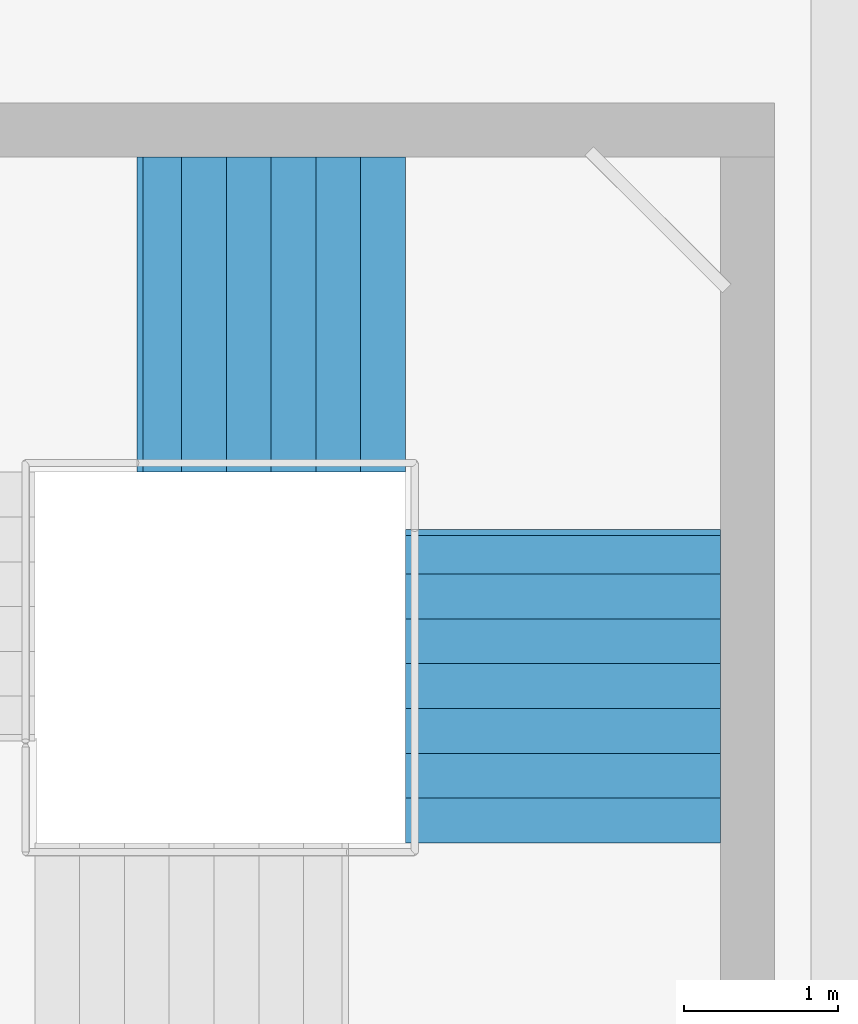
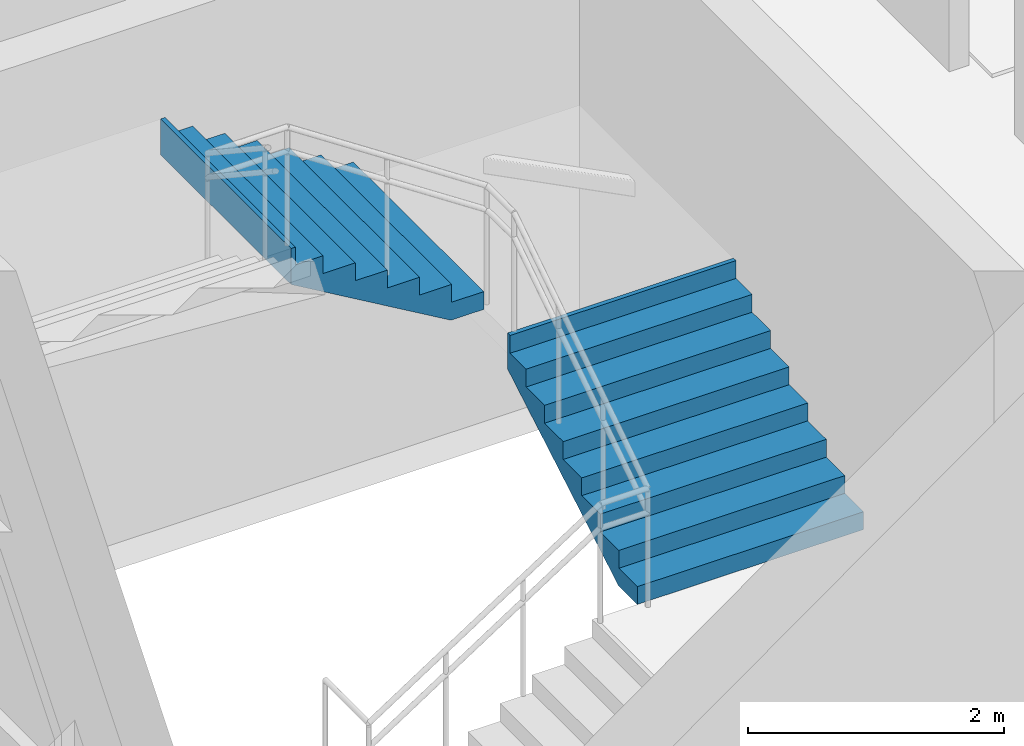
# One storey, part 56 of 66: 2 stair flights, 1 element without a shape of its own.
"""IFC4 building model written with IfcOpenShell, lengths in metres."""

import ifcopenshell
import ifcopenshell.guid

model = None  # the IFC model being written
_history = None  # IfcOwnerHistory: only IFC2X3 demands one
_inside = {}  # id of a spatial element -> (the spatial element, [elements in it])
_under = {}  # id of a project, library or spatial element -> (it, [spatial elements below it])
_declared = {}  # id of a project -> (the project, [libraries it declares])
_typed = {}  # id of a type object -> (the type object, [elements of that type])
_made_of = {}  # id of a material, layer set ... -> (it, [elements and type objects made of it])


def new_model(schema):
    """Start an empty IFC model of exactly this schema.

    Asked for "IFC4X3", IfcOpenShell would pick the latest addendum, in which some entities
    have other attributes; the version numbers below select the first issue.
    IFC2X3 requires an IfcOwnerHistory on every rooted entity: one is made here for all.
    """
    global model, _history
    if schema == "IFC4X3":
        model = ifcopenshell.file(schema_version=(4, 3, 0, 0))
    else:
        model = ifcopenshell.file(schema=schema)
    _inside.clear()
    _under.clear()
    _declared.clear()
    _typed.clear()
    _made_of.clear()
    _history = None
    if model.schema == "IFC2X3":
        org = make("IfcOrganization", Name="unknown")
        user = make(
            "IfcPersonAndOrganization",
            ThePerson=make("IfcPerson", FamilyName="unknown"),
            TheOrganization=org,
        )
        app = make(
            "IfcApplication",
            ApplicationDeveloper=org,
            Version="unknown",
            ApplicationFullName="unknown",
            ApplicationIdentifier="unknown",
        )
        _history = make(
            "IfcOwnerHistory",
            OwningUser=user,
            OwningApplication=app,
            ChangeAction="ADDED",
            CreationDate=0,
        )
    return model


def make(cls, **values):
    """One entity of the class cls with the attributes given. An attribute that is None is left unset."""
    return model.create_entity(
        cls, **{name: value for name, value in values.items() if value is not None}
    )


def rooted(cls, **values):
    """An entity with a GlobalId (a new one), such as an element, a storey or a relation."""
    return make(cls, GlobalId=ifcopenshell.guid.new(), OwnerHistory=_history, **values)


def si_unit(unit_type, name, prefix=None):
    """IfcSIUnit, for example si_unit("LENGTHUNIT", "METRE", prefix="MILLI")."""
    return make("IfcSIUnit", UnitType=unit_type, Prefix=prefix, Name=name)


def assignment(units):
    """IfcUnitAssignment: the units of a project."""
    return None if units is None else make("IfcUnitAssignment", Units=units)


def point(xyz):
    """IfcCartesianPoint."""
    return None if xyz is None else make("IfcCartesianPoint", Coordinates=xyz)


def direction(xyz):
    """IfcDirection."""
    return None if xyz is None else make("IfcDirection", DirectionRatios=xyz)


def frame(location, z_axis=None, x_axis=None):
    """IfcAxis2Placement3D, a coordinate frame: its origin and axes. An axis left out is left unset."""
    return make(
        "IfcAxis2Placement3D",
        Location=point(location),
        Axis=direction(z_axis),
        RefDirection=direction(x_axis),
    )


def origin():
    """The frame at (0, 0, 0) with its axes left unset."""
    return frame((0.0, 0.0, 0.0))


def place(relative_to, where):
    """IfcLocalPlacement: puts the frame where relative to a parent placement (None: the world)."""
    return make(
        "IfcLocalPlacement", PlacementRelTo=relative_to, RelativePlacement=where
    )


def context(
    kind, dimensions, precision=None, world=None, true_north=None, identifier=None
):
    """IfcGeometricRepresentationContext, for example the 3D "Model" context."""
    return make(
        "IfcGeometricRepresentationContext",
        ContextIdentifier=identifier,
        ContextType=kind,
        CoordinateSpaceDimension=dimensions,
        Precision=precision,
        WorldCoordinateSystem=world,
        TrueNorth=true_north,
    )


def subcontext(parent, identifier, kind, view, scale=None):
    """IfcGeometricRepresentationSubContext, for example "Body" below "Model"."""
    return make(
        "IfcGeometricRepresentationSubContext",
        ContextIdentifier=identifier,
        ContextType=kind,
        ParentContext=parent,
        TargetScale=scale,
        TargetView=view,
    )


def project(units=None, contexts=None):
    """IfcProject with its units and contexts."""
    return rooted(
        "IfcProject",
        Name="project",
        RepresentationContexts=contexts,
        UnitsInContext=assignment(units),
    )


def spatial(cls, under=None, at=None, **own):
    """A site, building, storey or space (cls), placed at a placement, below another one or the project."""
    s = rooted(cls, ObjectPlacement=at, **own)
    if under is not None:
        _under.setdefault(under.id(), (under, []))[1].append(s)
    return s


def point_list(points):
    """IfcCartesianPointList2D or 3D."""
    cls = (
        "IfcCartesianPointList2D" if len(points[0]) == 2 else "IfcCartesianPointList3D"
    )
    return make(cls, CoordList=points)


def triangles(points, corners, closed=None, point_numbers=None):
    """IfcTriangulatedFaceSet: each triangle names its three corners, points numbered from 1."""
    return make(
        "IfcTriangulatedFaceSet",
        Coordinates=point_list(points),
        Closed=closed,
        CoordIndex=corners,
        PnIndex=point_numbers,
    )


def shape(context_of_items, identifier, shape_type, items):
    """IfcShapeRepresentation: the items that make up one representation, for example the "Body"."""
    return make(
        "IfcShapeRepresentation",
        ContextOfItems=context_of_items,
        RepresentationIdentifier=identifier,
        RepresentationType=shape_type,
        Items=items,
    )


def material(Name=None, Category=None):
    """IfcMaterial."""
    return make("IfcMaterial", Name=Name, Category=Category)


def made_of(thing, what):
    """Note that an element or type object is made of a material, layer set ...; save() writes the relation."""
    if what is not None:
        _made_of.setdefault(what.id(), (what, []))[1].append(thing)
    return thing


def type_object(cls, material=None, **own):
    """A type object (cls), such as IfcWallType, which elements share."""
    return made_of(rooted(cls, **own), material)


def element(
    cls,
    number,
    at=None,
    inside=None,
    cuts=None,
    type_object=None,
    material=None,
    context=None,
    identifier="Body",
    shape_type=None,
    held_by="IfcProductDefinitionShape",
    body=None,
    shapes=None,
    **own,
):
    """One element of the class cls, such as IfcWall. Its Tag is "e" and its number.

    at: its placement. inside: the storey or other place that contains it. cuts: it is an
    opening in that element (IfcRelVoidsElement). A single representation is given by context,
    identifier, shape_type and body (its items); several are given by shapes. held_by: the class
    of the entity that holds the representations. save() writes the other relations.
    """
    e = rooted(cls, Tag="e%d" % number, ObjectPlacement=at, **own)
    if body is not None:
        shapes = [shape(context, identifier, shape_type, body)]
    if shapes is not None:
        e.Representation = make(held_by, Representations=shapes)
    if inside is not None:
        _inside.setdefault(inside.id(), (inside, []))[1].append(e)
    if cuts is not None:
        rooted(
            "IfcRelVoidsElement", RelatingBuildingElement=cuts, RelatedOpeningElement=e
        )
    if type_object is not None:
        _typed.setdefault(type_object.id(), (type_object, []))[1].append(e)
    return made_of(e, material)


def aggregate(whole, parts):
    """IfcRelAggregates: a whole, such as a stair, and the parts it consists of."""
    return rooted("IfcRelAggregates", RelatingObject=whole, RelatedObjects=parts)


def save(model, path):
    """Write the relations noted so far, then the file.

    IfcRelAggregates (storeys below a building ...), IfcRelContainedInSpatialStructure (elements
    in a storey), IfcRelDefinesByType, IfcRelAssociatesMaterial and IfcRelDeclares: one each for
    every whole, place, type object, material and project.
    """
    for whole, parts in _under.values():
        aggregate(whole, parts)
    for where, things in _inside.values():
        rooted(
            "IfcRelContainedInSpatialStructure",
            RelatedElements=things,
            RelatingStructure=where,
        )
    for kind, things in _typed.values():
        rooted("IfcRelDefinesByType", RelatedObjects=things, RelatingType=kind)
    for what, things in _made_of.values():
        rooted("IfcRelAssociatesMaterial", RelatedObjects=things, RelatingMaterial=what)
    for by, libraries in _declared.values():
        rooted("IfcRelDeclares", RelatingContext=by, RelatedDefinitions=libraries)
    model.write(path)


model = new_model("IFC4")

# Units and contexts
model_context = context("Model", 3, precision=1e-05, world=origin(), true_north=direction((0.0, 1.0)))
body_context = subcontext(model_context, "Body", "Model", "MODEL_VIEW")
ifc_project = project(units=[si_unit("LENGTHUNIT", "METRE"), si_unit("AREAUNIT", "SQUARE_METRE"), si_unit("VOLUMEUNIT", "CUBIC_METRE"), si_unit("PLANEANGLEUNIT", "RADIAN"), si_unit("MASSUNIT", "GRAM", prefix="KILO")], contexts=[model_context])

# Site, building, storey
site_placement = place(None, origin())
site = spatial("IfcSite", under=ifc_project, at=site_placement, CompositionType="ELEMENT")
building_placement = place(site_placement, origin())
building = spatial("IfcBuilding", under=site, at=building_placement, Name="Sillaruma Civic Art Gallery", CompositionType="ELEMENT")
storey_placement = place(building_placement, frame((0.0, 0.0, 57.1201171875)))
storey = spatial("IfcBuildingStorey", under=building, at=storey_placement, Name="L11", CompositionType="ELEMENT", Elevation=57.1201171875)

# Stair, stair flights
ifc_material = material(Name="Concrete H35 (35 MPa)", Category="concrete")
stair_type = type_object("IfcStairType", Name="STR-4F-30", PredefinedType="USERDEFINED", material=ifc_material)
stair_placement = place(storey_placement, origin())
stair = element("IfcStair", 1, at=stair_placement, inside=storey, type_object=stair_type, Name="Protected Exit Stair ST-03 (West Bar South) (L11)", ObjectType="THREE_RETURN_STAIR", PredefinedType="USERDEFINED")
stair_flight_type_1 = type_object("IfcStairFlightType", Name="SFL-STR-7", PredefinedType="STRAIGHT", material=ifc_material)
stair_flight_1_placement = place(storey_placement, frame((67.199951171875, 36.8701171875, 2.719970703125), z_axis=(0.0, 0.0, 1.0), x_axis=(-1.0, 0.0, 0.0)))
stair_flight_1 = element("IfcStairFlight", 2, at=stair_flight_1_placement, type_object=stair_flight_type_1, Name="ST-03 flight 3", NumberOfRisers=7, NumberOfTreads=6, PredefinedType="STRAIGHT", RiserHeight=0.17, TreadLength=0.29, context=body_context, shape_type="Tessellation", body=[
    triangles([(0.0, -1.02001953125, 0.0), (0.29, -1.02001953125, 0.0), (0.296404, -1.02001953125, 0.0), (0.58, -1.02001953125, 0.166246), (0.87, -1.02001953125, 0.336246), (1.16, -1.02001953125, 0.506246), (1.45, -1.02001953125, 0.676246), (1.69999, -1.02001953125, 0.822792), (1.73999, -1.02001953125, 0.84624), (1.73999, -1.02001953125, 1.19), (1.69999, -1.02001953125, 1.19), (1.69999, -1.02001953125, 1.02), (1.45, -1.02001953125, 1.02), (1.45, -1.02001953125, 0.85), (1.16, -1.02001953125, 0.85), (1.16, -1.02001953125, 0.68), (0.87, -1.02001953125, 0.68), (0.87, -1.02001953125, 0.51), (0.58, -1.02001953125, 0.51), (0.58, -1.02001953125, 0.34), (0.296404, -1.02001953125, 0.34), (0.29, -1.02001953125, 0.34), (0.29, -1.02001953125, 0.17), (0.0, -1.02001953125, 0.17), (0.0, -0.05, 0.0), (0.29, -0.05, 0.0), (0.296404, -0.05, 0.0), (0.58, -0.05, 0.166246), (0.87, -0.05, 0.336246), (1.16, -0.05, 0.506246), (1.45, -0.05, 0.676246), (1.69999, -0.05, 0.822792), (1.73999, -0.05, 0.84624), (1.73999, -0.05, 1.19), (1.69999, -0.05, 1.19), (1.69999, -0.05, 1.02), (1.45, -0.05, 1.02), (1.45, -0.05, 0.85), (1.16, -0.05, 0.85), (1.16, -0.05, 0.68), (0.87, -0.05, 0.68), (0.87, -0.05, 0.51), (0.58, -0.05, 0.51), (0.58, -0.05, 0.34), (0.296404, -0.05, 0.34), (0.29, -0.05, 0.34), (0.29, -0.05, 0.17), (0.0, -0.05, 0.17), (0.0, -0.0375, 0.0), (0.29, -0.0375, 0.0), (0.296404, -0.0375, 0.0), (0.58, -0.0375, 0.166246), (0.87, -0.0375, 0.336246), (1.16, -0.0375, 0.506246), (1.45, -0.0375, 0.676246), (1.69999, -0.0375, 0.822792), (1.73999, -0.0375, 0.84624), (1.73999, -0.0375, 1.19), (1.69999, -0.0375, 1.19), (1.69999, -0.0375, 1.02), (1.45, -0.0375, 1.02), (1.45, -0.0375, 0.85), (1.16, -0.0375, 0.85), (1.16, -0.0375, 0.68), (0.87, -0.0375, 0.68), (0.87, -0.0375, 0.51), (0.58, -0.0375, 0.51), (0.58, -0.0375, 0.34), (0.296404, -0.0375, 0.34), (0.29, -0.0375, 0.34), (0.29, -0.0375, 0.17), (0.0, -0.0375, 0.17), (0.0, -0.025, 0.0), (0.29, -0.025, 0.0), (0.296404, -0.025, 0.0), (0.58, -0.025, 0.166246), (0.87, -0.025, 0.336246), (1.16, -0.025, 0.506246), (1.45, -0.025, 0.676246), (1.69999, -0.025, 0.822792), (1.73999, -0.025, 0.84624), (1.73999, -0.025, 1.19), (1.69999, -0.025, 1.19), (1.69999, -0.025, 1.02), (1.45, -0.025, 1.02), (1.45, -0.025, 0.85), (1.16, -0.025, 0.85), (1.16, -0.025, 0.68), (0.87, -0.025, 0.68), (0.87, -0.025, 0.51), (0.58, -0.025, 0.51), (0.58, -0.025, 0.34), (0.296404, -0.025, 0.34), (0.29, -0.025, 0.34), (0.29, -0.025, 0.17), (0.0, -0.025, 0.17), (0.0, -0.0125, 0.0), (0.29, -0.0125, 0.0), (0.296404, -0.0125, 0.0), (0.58, -0.0125, 0.166246), (0.87, -0.0125, 0.336246), (1.16, -0.0125, 0.506246), (1.45, -0.0125, 0.676246), (1.69999, -0.0125, 0.822792), (1.73999, -0.0125, 0.84624), (1.73999, -0.0125, 1.19), (1.69999, -0.0125, 1.19), (1.69999, -0.0125, 1.02), (1.45, -0.0125, 1.02), (1.45, -0.0125, 0.85), (1.16, -0.0125, 0.85), (1.16, -0.0125, 0.68), (0.87, -0.0125, 0.68), (0.87, -0.0125, 0.51), (0.58, -0.0125, 0.51), (0.58, -0.0125, 0.34), (0.296404, -0.0125, 0.34), (0.29, -0.0125, 0.34), (0.29, -0.0125, 0.17), (0.0, -0.0125, 0.17), (0.0, 0.0, 0.0), (0.29, 0.0, 0.0), (0.296404, 0.0, 0.0), (0.58, 0.0, 0.166246), (0.87, 0.0, 0.336246), (1.16, 0.0, 0.506246), (1.45, 0.0, 0.676246), (1.69999, 0.0, 0.822792), (1.73999, 0.0, 0.84624), (1.73999, 0.0, 1.19), (1.69999, 0.0, 1.19), (1.69999, 0.0, 1.02), (1.45, 0.0, 1.02), (1.45, 0.0, 0.85), (1.16, 0.0, 0.85), (1.16, 0.0, 0.68), (0.87, 0.0, 0.68), (0.87, 0.0, 0.51), (0.58, 0.0, 0.51), (0.58, 0.0, 0.34), (0.296404, 0.0, 0.34), (0.29, 0.0, 0.34), (0.29, 0.0, 0.17), (0.0, 0.0, 0.17), (0.0, 0.0125, 0.0), (0.29, 0.0125, 0.0), (0.296404, 0.0125, 0.0), (0.58, 0.0125, 0.166246), (0.87, 0.0125, 0.336246), (1.16, 0.0125, 0.506246), (1.45, 0.0125, 0.676246), (1.69999, 0.0125, 0.822792), (1.73999, 0.0125, 0.84624), (1.73999, 0.0125, 1.19), (1.69999, 0.0125, 1.19), (1.69999, 0.0125, 1.02), (1.45, 0.0125, 1.02), (1.45, 0.0125, 0.85), (1.16, 0.0125, 0.85), (1.16, 0.0125, 0.68), (0.87, 0.0125, 0.68), (0.87, 0.0125, 0.51), (0.58, 0.0125, 0.51), (0.58, 0.0125, 0.34), (0.296404, 0.0125, 0.34), (0.29, 0.0125, 0.34), (0.29, 0.0125, 0.17), (0.0, 0.0125, 0.17), (0.0, 0.025, 0.0), (0.29, 0.025, 0.0), (0.296404, 0.025, 0.0), (0.58, 0.025, 0.166246), (0.87, 0.025, 0.336246), (1.16, 0.025, 0.506246), (1.45, 0.025, 0.676246), (1.69999, 0.025, 0.822792), (1.73999, 0.025, 0.84624), (1.73999, 0.025, 1.19), (1.69999, 0.025, 1.19), (1.69999, 0.025, 1.02), (1.45, 0.025, 1.02), (1.45, 0.025, 0.85), (1.16, 0.025, 0.85), (1.16, 0.025, 0.68), (0.87, 0.025, 0.68), (0.87, 0.025, 0.51), (0.58, 0.025, 0.51), (0.58, 0.025, 0.34), (0.296404, 0.025, 0.34), (0.29, 0.025, 0.34), (0.29, 0.025, 0.17), (0.0, 0.025, 0.17), (0.0, 0.0375, 0.0), (0.29, 0.0375, 0.0), (0.296404, 0.0375, 0.0), (0.58, 0.0375, 0.166246), (0.87, 0.0375, 0.336246), (1.16, 0.0375, 0.506246), (1.45, 0.0375, 0.676246), (1.69999, 0.0375, 0.822792), (1.73999, 0.0375, 0.84624), (1.73999, 0.0375, 1.19), (1.69999, 0.0375, 1.19), (1.69999, 0.0375, 1.02), (1.45, 0.0375, 1.02), (1.45, 0.0375, 0.85), (1.16, 0.0375, 0.85), (1.16, 0.0375, 0.68), (0.87, 0.0375, 0.68), (0.87, 0.0375, 0.51), (0.58, 0.0375, 0.51), (0.58, 0.0375, 0.34), (0.296404, 0.0375, 0.34), (0.29, 0.0375, 0.34), (0.29, 0.0375, 0.17), (0.0, 0.0375, 0.17), (0.0, 0.05, 0.0), (0.29, 0.05, 0.0), (0.296404, 0.05, 0.0), (0.58, 0.05, 0.166246), (0.87, 0.05, 0.336246), (1.16, 0.05, 0.506246), (1.45, 0.05, 0.676246), (1.69999, 0.05, 0.822792), (1.73999, 0.05, 0.84624), (1.73999, 0.05, 1.19), (1.69999, 0.05, 1.19), (1.69999, 0.05, 1.02), (1.45, 0.05, 1.02), (1.45, 0.05, 0.85), (1.16, 0.05, 0.85), (1.16, 0.05, 0.68), (0.87, 0.05, 0.68), (0.87, 0.05, 0.51), (0.58, 0.05, 0.51), (0.58, 0.05, 0.34), (0.296404, 0.05, 0.34), (0.29, 0.05, 0.34), (0.29, 0.05, 0.17), (0.0, 0.05, 0.17), (0.0, 1.02001953125, 0.0), (0.29, 1.02001953125, 0.0), (0.296404, 1.02001953125, 0.0), (0.58, 1.02001953125, 0.166246), (0.87, 1.02001953125, 0.336246), (1.16, 1.02001953125, 0.506246), (1.45, 1.02001953125, 0.676246), (1.69999, 1.02001953125, 0.822792), (1.73999, 1.02001953125, 0.84624), (1.73999, 1.02001953125, 1.19), (1.69999, 1.02001953125, 1.19), (1.69999, 1.02001953125, 1.02), (1.45, 1.02001953125, 1.02), (1.45, 1.02001953125, 0.85), (1.16, 1.02001953125, 0.85), (1.16, 1.02001953125, 0.68), (0.87, 1.02001953125, 0.68), (0.87, 1.02001953125, 0.51), (0.58, 1.02001953125, 0.51), (0.58, 1.02001953125, 0.34), (0.296404, 1.02001953125, 0.34), (0.29, 1.02001953125, 0.34), (0.29, 1.02001953125, 0.17), (0.0, 1.02001953125, 0.17)], [[1, 2, 23], [1, 23, 24], [2, 3, 21], [2, 21, 23], [23, 21, 22], [3, 4, 20], [3, 20, 21], [4, 5, 18], [4, 18, 20], [20, 18, 19], [5, 6, 16], [5, 16, 18], [18, 16, 17], [6, 7, 14], [6, 14, 16], [16, 14, 15], [7, 8, 12], [7, 12, 14], [14, 12, 13], [8, 9, 10], [8, 10, 12], [12, 10, 11], [263, 242, 241], [264, 263, 241], [261, 243, 242], [263, 261, 242], [262, 261, 263], [260, 244, 243], [261, 260, 243], [258, 245, 244], [260, 258, 244], [259, 258, 260], [256, 246, 245], [258, 256, 245], [257, 256, 258], [254, 247, 246], [256, 254, 246], [255, 254, 256], [252, 248, 247], [254, 252, 247], [253, 252, 254], [250, 249, 248], [252, 250, 248], [251, 250, 252], [2, 1, 25], [2, 25, 26], [3, 2, 26], [3, 26, 27], [4, 3, 27], [4, 27, 28], [5, 4, 28], [5, 28, 29], [6, 5, 29], [6, 29, 30], [7, 6, 30], [7, 30, 31], [8, 7, 31], [8, 31, 32], [9, 8, 32], [9, 32, 33], [10, 9, 33], [10, 33, 34], [11, 10, 34], [11, 34, 35], [12, 11, 35], [12, 35, 36], [13, 12, 36], [13, 36, 37], [14, 13, 37], [14, 37, 38], [15, 14, 38], [15, 38, 39], [16, 15, 39], [16, 39, 40], [17, 16, 40], [17, 40, 41], [18, 17, 41], [18, 41, 42], [19, 18, 42], [19, 42, 43], [20, 19, 43], [20, 43, 44], [21, 20, 44], [21, 44, 45], [22, 21, 45], [22, 45, 46], [23, 22, 46], [23, 46, 47], [24, 23, 47], [24, 47, 48], [1, 24, 48], [1, 48, 25], [26, 25, 49], [26, 49, 50], [27, 26, 50], [27, 50, 51], [28, 27, 51], [28, 51, 52], [29, 28, 52], [29, 52, 53], [30, 29, 53], [30, 53, 54], [31, 30, 54], [31, 54, 55], [32, 31, 55], [32, 55, 56], [33, 32, 56], [33, 56, 57], [34, 33, 57], [34, 57, 58], [35, 34, 58], [35, 58, 59], [36, 35, 59], [36, 59, 60], [37, 36, 60], [37, 60, 61], [38, 37, 61], [38, 61, 62], [39, 38, 62], [39, 62, 63], [40, 39, 63], [40, 63, 64], [41, 40, 64], [41, 64, 65], [42, 41, 65], [42, 65, 66], [43, 42, 66], [43, 66, 67], [44, 43, 67], [44, 67, 68], [45, 44, 68], [45, 68, 69], [46, 45, 69], [46, 69, 70], [47, 46, 70], [47, 70, 71], [48, 47, 71], [48, 71, 72], [25, 48, 72], [25, 72, 49], [50, 49, 73], [50, 73, 74], [51, 50, 74], [51, 74, 75], [52, 51, 75], [52, 75, 76], [53, 52, 76], [53, 76, 77], [54, 53, 77], [54, 77, 78], [55, 54, 78], [55, 78, 79], [56, 55, 79], [56, 79, 80], [57, 56, 80], [57, 80, 81], [58, 57, 81], [58, 81, 82], [59, 58, 82], [59, 82, 83], [60, 59, 83], [60, 83, 84], [61, 60, 84], [61, 84, 85], [62, 61, 85], [62, 85, 86], [63, 62, 86], [63, 86, 87], [64, 63, 87], [64, 87, 88], [65, 64, 88], [65, 88, 89], [66, 65, 89], [66, 89, 90], [67, 66, 90], [67, 90, 91], [68, 67, 91], [68, 91, 92], [69, 68, 92], [69, 92, 93], [70, 69, 93], [70, 93, 94], [71, 70, 94], [71, 94, 95], [72, 71, 95], [72, 95, 96], [49, 72, 96], [49, 96, 73], [74, 73, 97], [74, 97, 98], [75, 74, 98], [75, 98, 99], [76, 75, 99], [76, 99, 100], [77, 76, 100], [77, 100, 101], [78, 77, 101], [78, 101, 102], [79, 78, 102], [79, 102, 103], [80, 79, 103], [80, 103, 104], [81, 80, 104], [81, 104, 105], [82, 81, 105], [82, 105, 106], [83, 82, 106], [83, 106, 107], [84, 83, 107], [84, 107, 108], [85, 84, 108], [85, 108, 109], [86, 85, 109], [86, 109, 110], [87, 86, 110], [87, 110, 111], [88, 87, 111], [88, 111, 112], [89, 88, 112], [89, 112, 113], [90, 89, 113], [90, 113, 114], [91, 90, 114], [91, 114, 115], [92, 91, 115], [92, 115, 116], [93, 92, 116], [93, 116, 117], [94, 93, 117], [94, 117, 118], [95, 94, 118], [95, 118, 119], [96, 95, 119], [96, 119, 120], [73, 96, 120], [73, 120, 97], [98, 97, 121], [98, 121, 122], [99, 98, 122], [99, 122, 123], [100, 99, 123], [100, 123, 124], [101, 100, 124], [101, 124, 125], [102, 101, 125], [102, 125, 126], [103, 102, 126], [103, 126, 127], [104, 103, 127], [104, 127, 128], [105, 104, 128], [105, 128, 129], [106, 105, 129], [106, 129, 130], [107, 106, 130], [107, 130, 131], [108, 107, 131], [108, 131, 132], [109, 108, 132], [109, 132, 133], [110, 109, 133], [110, 133, 134], [111, 110, 134], [111, 134, 135], [112, 111, 135], [112, 135, 136], [113, 112, 136], [113, 136, 137], [114, 113, 137], [114, 137, 138], [115, 114, 138], [115, 138, 139], [116, 115, 139], [116, 139, 140], [117, 116, 140], [117, 140, 141], [118, 117, 141], [118, 141, 142], [119, 118, 142], [119, 142, 143], [120, 119, 143], [120, 143, 144], [97, 120, 144], [97, 144, 121], [122, 121, 145], [122, 145, 146], [123, 122, 146], [123, 146, 147], [124, 123, 147], [124, 147, 148], [125, 124, 148], [125, 148, 149], [126, 125, 149], [126, 149, 150], [127, 126, 150], [127, 150, 151], [128, 127, 151], [128, 151, 152], [129, 128, 152], [129, 152, 153], [130, 129, 153], [130, 153, 154], [131, 130, 154], [131, 154, 155], [132, 131, 155], [132, 155, 156], [133, 132, 156], [133, 156, 157], [134, 133, 157], [134, 157, 158], [135, 134, 158], [135, 158, 159], [136, 135, 159], [136, 159, 160], [137, 136, 160], [137, 160, 161], [138, 137, 161], [138, 161, 162], [139, 138, 162], [139, 162, 163], [140, 139, 163], [140, 163, 164], [141, 140, 164], [141, 164, 165], [142, 141, 165], [142, 165, 166], [143, 142, 166], [143, 166, 167], [144, 143, 167], [144, 167, 168], [121, 144, 168], [121, 168, 145], [146, 145, 169], [146, 169, 170], [147, 146, 170], [147, 170, 171], [148, 147, 171], [148, 171, 172], [149, 148, 172], [149, 172, 173], [150, 149, 173], [150, 173, 174], [151, 150, 174], [151, 174, 175], [152, 151, 175], [152, 175, 176], [153, 152, 176], [153, 176, 177], [154, 153, 177], [154, 177, 178], [155, 154, 178], [155, 178, 179], [156, 155, 179], [156, 179, 180], [157, 156, 180], [157, 180, 181], [158, 157, 181], [158, 181, 182], [159, 158, 182], [159, 182, 183], [160, 159, 183], [160, 183, 184], [161, 160, 184], [161, 184, 185], [162, 161, 185], [162, 185, 186], [163, 162, 186], [163, 186, 187], [164, 163, 187], [164, 187, 188], [165, 164, 188], [165, 188, 189], [166, 165, 189], [166, 189, 190], [167, 166, 190], [167, 190, 191], [168, 167, 191], [168, 191, 192], [145, 168, 192], [145, 192, 169], [170, 169, 193], [170, 193, 194], [171, 170, 194], [171, 194, 195], [172, 171, 195], [172, 195, 196], [173, 172, 196], [173, 196, 197], [174, 173, 197], [174, 197, 198], [175, 174, 198], [175, 198, 199], [176, 175, 199], [176, 199, 200], [177, 176, 200], [177, 200, 201], [178, 177, 201], [178, 201, 202], [179, 178, 202], [179, 202, 203], [180, 179, 203], [180, 203, 204], [181, 180, 204], [181, 204, 205], [182, 181, 205], [182, 205, 206], [183, 182, 206], [183, 206, 207], [184, 183, 207], [184, 207, 208], [185, 184, 208], [185, 208, 209], [186, 185, 209], [186, 209, 210], [187, 186, 210], [187, 210, 211], [188, 187, 211], [188, 211, 212], [189, 188, 212], [189, 212, 213], [190, 189, 213], [190, 213, 214], [191, 190, 214], [191, 214, 215], [192, 191, 215], [192, 215, 216], [169, 192, 216], [169, 216, 193], [194, 193, 217], [194, 217, 218], [195, 194, 218], [195, 218, 219], [196, 195, 219], [196, 219, 220], [197, 196, 220], [197, 220, 221], [198, 197, 221], [198, 221, 222], [199, 198, 222], [199, 222, 223], [200, 199, 223], [200, 223, 224], [201, 200, 224], [201, 224, 225], [202, 201, 225], [202, 225, 226], [203, 202, 226], [203, 226, 227], [204, 203, 227], [204, 227, 228], [205, 204, 228], [205, 228, 229], [206, 205, 229], [206, 229, 230], [207, 206, 230], [207, 230, 231], [208, 207, 231], [208, 231, 232], [209, 208, 232], [209, 232, 233], [210, 209, 233], [210, 233, 234], [211, 210, 234], [211, 234, 235], [212, 211, 235], [212, 235, 236], [213, 212, 236], [213, 236, 237], [214, 213, 237], [214, 237, 238], [215, 214, 238], [215, 238, 239], [216, 215, 239], [216, 239, 240], [193, 216, 240], [193, 240, 217], [218, 217, 241], [218, 241, 242], [219, 218, 242], [219, 242, 243], [220, 219, 243], [220, 243, 244], [221, 220, 244], [221, 244, 245], [222, 221, 245], [222, 245, 246], [223, 222, 246], [223, 246, 247], [224, 223, 247], [224, 247, 248], [225, 224, 248], [225, 248, 249], [226, 225, 249], [226, 249, 250], [227, 226, 250], [227, 250, 251], [228, 227, 251], [228, 251, 252], [229, 228, 252], [229, 252, 253], [230, 229, 253], [230, 253, 254], [231, 230, 254], [231, 254, 255], [232, 231, 255], [232, 255, 256], [233, 232, 256], [233, 256, 257], [234, 233, 257], [234, 257, 258], [235, 234, 258], [235, 258, 259], [236, 235, 259], [236, 259, 260], [237, 236, 260], [237, 260, 261], [238, 237, 261], [238, 261, 262], [239, 238, 262], [239, 262, 263], [240, 239, 263], [240, 263, 264], [217, 240, 264], [217, 264, 241]], closed=True),
])
stair_flight_type_2 = type_object("IfcStairFlightType", Name="SFL-STR-8", PredefinedType="STRAIGHT", material=ifc_material)
stair_flight_2_placement = place(storey_placement, frame((68.219970703125, 33.449951171875, 1.35986328125), z_axis=(0.0, 0.0, 1.0), x_axis=(0.0, 1.0, 0.0)))
stair_flight_2 = element("IfcStairFlight", 3, at=stair_flight_2_placement, type_object=stair_flight_type_2, Name="ST-03 flight 2", NumberOfRisers=8, NumberOfTreads=7, PredefinedType="STRAIGHT", RiserHeight=0.17, TreadLength=0.29, context=body_context, shape_type="Tessellation", body=[
    triangles([(0.0, -1.02001953125, 0.0), (0.29, -1.02001953125, 0.0), (0.296443, -1.02001953125, 0.0), (0.58, -1.02001953125, 0.166223), (0.87, -1.02001953125, 0.336223), (1.16, -1.02001953125, 0.506223), (1.45, -1.02001953125, 0.676223), (1.74, -1.02001953125, 0.846223), (1.990029, -1.02001953125, 0.992792), (2.030029, -1.02001953125, 1.01624), (2.030029, -1.02001953125, 1.36), (1.990029, -1.02001953125, 1.36), (1.990029, -1.02001953125, 1.19), (1.74, -1.02001953125, 1.19), (1.74, -1.02001953125, 1.02), (1.45, -1.02001953125, 1.02), (1.45, -1.02001953125, 0.85), (1.16, -1.02001953125, 0.85), (1.16, -1.02001953125, 0.68), (0.87, -1.02001953125, 0.68), (0.87, -1.02001953125, 0.51), (0.58, -1.02001953125, 0.51), (0.58, -1.02001953125, 0.34), (0.296443, -1.02001953125, 0.34), (0.29, -1.02001953125, 0.34), (0.29, -1.02001953125, 0.17), (0.0, -1.02001953125, 0.17), (0.0, -0.05, 0.0), (0.29, -0.05, 0.0), (0.296443, -0.05, 0.0), (0.58, -0.05, 0.166223), (0.87, -0.05, 0.336223), (1.16, -0.05, 0.506223), (1.45, -0.05, 0.676223), (1.74, -0.05, 0.846223), (1.990029, -0.05, 0.992792), (2.030029, -0.05, 1.01624), (2.030029, -0.05, 1.36), (1.990029, -0.05, 1.36), (1.990029, -0.05, 1.19), (1.74, -0.05, 1.19), (1.74, -0.05, 1.02), (1.45, -0.05, 1.02), (1.45, -0.05, 0.85), (1.16, -0.05, 0.85), (1.16, -0.05, 0.68), (0.87, -0.05, 0.68), (0.87, -0.05, 0.51), (0.58, -0.05, 0.51), (0.58, -0.05, 0.34), (0.296443, -0.05, 0.34), (0.29, -0.05, 0.34), (0.29, -0.05, 0.17), (0.0, -0.05, 0.17), (0.0, -0.0375, 0.0), (0.29, -0.0375, 0.0), (0.296443, -0.0375, 0.0), (0.58, -0.0375, 0.166223), (0.87, -0.0375, 0.336223), (1.16, -0.0375, 0.506223), (1.45, -0.0375, 0.676223), (1.74, -0.0375, 0.846223), (1.990029, -0.0375, 0.992792), (2.030029, -0.0375, 1.01624), (2.030029, -0.0375, 1.36), (1.990029, -0.0375, 1.36), (1.990029, -0.0375, 1.19), (1.74, -0.0375, 1.19), (1.74, -0.0375, 1.02), (1.45, -0.0375, 1.02), (1.45, -0.0375, 0.85), (1.16, -0.0375, 0.85), (1.16, -0.0375, 0.68), (0.87, -0.0375, 0.68), (0.87, -0.0375, 0.51), (0.58, -0.0375, 0.51), (0.58, -0.0375, 0.34), (0.296443, -0.0375, 0.34), (0.29, -0.0375, 0.34), (0.29, -0.0375, 0.17), (0.0, -0.0375, 0.17), (0.0, -0.025, 0.0), (0.29, -0.025, 0.0), (0.296443, -0.025, 0.0), (0.58, -0.025, 0.166223), (0.87, -0.025, 0.336223), (1.16, -0.025, 0.506223), (1.45, -0.025, 0.676223), (1.74, -0.025, 0.846223), (1.990029, -0.025, 0.992792), (2.030029, -0.025, 1.01624), (2.030029, -0.025, 1.36), (1.990029, -0.025, 1.36), (1.990029, -0.025, 1.19), (1.74, -0.025, 1.19), (1.74, -0.025, 1.02), (1.45, -0.025, 1.02), (1.45, -0.025, 0.85), (1.16, -0.025, 0.85), (1.16, -0.025, 0.68), (0.87, -0.025, 0.68), (0.87, -0.025, 0.51), (0.58, -0.025, 0.51), (0.58, -0.025, 0.34), (0.296443, -0.025, 0.34), (0.29, -0.025, 0.34), (0.29, -0.025, 0.17), (0.0, -0.025, 0.17), (0.0, -0.0125, 0.0), (0.29, -0.0125, 0.0), (0.296443, -0.0125, 0.0), (0.58, -0.0125, 0.166223), (0.87, -0.0125, 0.336223), (1.16, -0.0125, 0.506223), (1.45, -0.0125, 0.676223), (1.74, -0.0125, 0.846223), (1.990029, -0.0125, 0.992792), (2.030029, -0.0125, 1.01624), (2.030029, -0.0125, 1.36), (1.990029, -0.0125, 1.36), (1.990029, -0.0125, 1.19), (1.74, -0.0125, 1.19), (1.74, -0.0125, 1.02), (1.45, -0.0125, 1.02), (1.45, -0.0125, 0.85), (1.16, -0.0125, 0.85), (1.16, -0.0125, 0.68), (0.87, -0.0125, 0.68), (0.87, -0.0125, 0.51), (0.58, -0.0125, 0.51), (0.58, -0.0125, 0.34), (0.296443, -0.0125, 0.34), (0.29, -0.0125, 0.34), (0.29, -0.0125, 0.17), (0.0, -0.0125, 0.17), (0.0, 0.0, 0.0), (0.29, 0.0, 0.0), (0.296443, 0.0, 0.0), (0.58, 0.0, 0.166223), (0.87, 0.0, 0.336223), (1.16, 0.0, 0.506223), (1.45, 0.0, 0.676223), (1.74, 0.0, 0.846223), (1.990029, 0.0, 0.992792), (2.030029, 0.0, 1.01624), (2.030029, 0.0, 1.36), (1.990029, 0.0, 1.36), (1.990029, 0.0, 1.19), (1.74, 0.0, 1.19), (1.74, 0.0, 1.02), (1.45, 0.0, 1.02), (1.45, 0.0, 0.85), (1.16, 0.0, 0.85), (1.16, 0.0, 0.68), (0.87, 0.0, 0.68), (0.87, 0.0, 0.51), (0.58, 0.0, 0.51), (0.58, 0.0, 0.34), (0.296443, 0.0, 0.34), (0.29, 0.0, 0.34), (0.29, 0.0, 0.17), (0.0, 0.0, 0.17), (0.0, 0.0125, 0.0), (0.29, 0.0125, 0.0), (0.296443, 0.0125, 0.0), (0.58, 0.0125, 0.166223), (0.87, 0.0125, 0.336223), (1.16, 0.0125, 0.506223), (1.45, 0.0125, 0.676223), (1.74, 0.0125, 0.846223), (1.990029, 0.0125, 0.992792), (2.030029, 0.0125, 1.01624), (2.030029, 0.0125, 1.36), (1.990029, 0.0125, 1.36), (1.990029, 0.0125, 1.19), (1.74, 0.0125, 1.19), (1.74, 0.0125, 1.02), (1.45, 0.0125, 1.02), (1.45, 0.0125, 0.85), (1.16, 0.0125, 0.85), (1.16, 0.0125, 0.68), (0.87, 0.0125, 0.68), (0.87, 0.0125, 0.51), (0.58, 0.0125, 0.51), (0.58, 0.0125, 0.34), (0.296443, 0.0125, 0.34), (0.29, 0.0125, 0.34), (0.29, 0.0125, 0.17), (0.0, 0.0125, 0.17), (0.0, 0.025, 0.0), (0.29, 0.025, 0.0), (0.296443, 0.025, 0.0), (0.58, 0.025, 0.166223), (0.87, 0.025, 0.336223), (1.16, 0.025, 0.506223), (1.45, 0.025, 0.676223), (1.74, 0.025, 0.846223), (1.990029, 0.025, 0.992792), (2.030029, 0.025, 1.01624), (2.030029, 0.025, 1.36), (1.990029, 0.025, 1.36), (1.990029, 0.025, 1.19), (1.74, 0.025, 1.19), (1.74, 0.025, 1.02), (1.45, 0.025, 1.02), (1.45, 0.025, 0.85), (1.16, 0.025, 0.85), (1.16, 0.025, 0.68), (0.87, 0.025, 0.68), (0.87, 0.025, 0.51), (0.58, 0.025, 0.51), (0.58, 0.025, 0.34), (0.296443, 0.025, 0.34), (0.29, 0.025, 0.34), (0.29, 0.025, 0.17), (0.0, 0.025, 0.17), (0.0, 0.0375, 0.0), (0.29, 0.0375, 0.0), (0.296443, 0.0375, 0.0), (0.58, 0.0375, 0.166223), (0.87, 0.0375, 0.336223), (1.16, 0.0375, 0.506223), (1.45, 0.0375, 0.676223), (1.74, 0.0375, 0.846223), (1.990029, 0.0375, 0.992792), (2.030029, 0.0375, 1.01624), (2.030029, 0.0375, 1.36), (1.990029, 0.0375, 1.36), (1.990029, 0.0375, 1.19), (1.74, 0.0375, 1.19), (1.74, 0.0375, 1.02), (1.45, 0.0375, 1.02), (1.45, 0.0375, 0.85), (1.16, 0.0375, 0.85), (1.16, 0.0375, 0.68), (0.87, 0.0375, 0.68), (0.87, 0.0375, 0.51), (0.58, 0.0375, 0.51), (0.58, 0.0375, 0.34), (0.296443, 0.0375, 0.34), (0.29, 0.0375, 0.34), (0.29, 0.0375, 0.17), (0.0, 0.0375, 0.17), (0.0, 0.05, 0.0), (0.29, 0.05, 0.0), (0.296443, 0.05, 0.0), (0.58, 0.05, 0.166223), (0.87, 0.05, 0.336223), (1.16, 0.05, 0.506223), (1.45, 0.05, 0.676223), (1.74, 0.05, 0.846223), (1.990029, 0.05, 0.992792), (2.030029, 0.05, 1.01624), (2.030029, 0.05, 1.36), (1.990029, 0.05, 1.36), (1.990029, 0.05, 1.19), (1.74, 0.05, 1.19), (1.74, 0.05, 1.02), (1.45, 0.05, 1.02), (1.45, 0.05, 0.85), (1.16, 0.05, 0.85), (1.16, 0.05, 0.68), (0.87, 0.05, 0.68), (0.87, 0.05, 0.51), (0.58, 0.05, 0.51), (0.58, 0.05, 0.34), (0.296443, 0.05, 0.34), (0.29, 0.05, 0.34), (0.29, 0.05, 0.17), (0.0, 0.05, 0.17), (0.0, 1.02001953125, 0.0), (0.29, 1.02001953125, 0.0), (0.296443, 1.02001953125, 0.0), (0.58, 1.02001953125, 0.166223), (0.87, 1.02001953125, 0.336223), (1.16, 1.02001953125, 0.506223), (1.45, 1.02001953125, 0.676223), (1.74, 1.02001953125, 0.846223), (1.990029, 1.02001953125, 0.992792), (2.030029, 1.02001953125, 1.01624), (2.030029, 1.02001953125, 1.36), (1.990029, 1.02001953125, 1.36), (1.990029, 1.02001953125, 1.19), (1.74, 1.02001953125, 1.19), (1.74, 1.02001953125, 1.02), (1.45, 1.02001953125, 1.02), (1.45, 1.02001953125, 0.85), (1.16, 1.02001953125, 0.85), (1.16, 1.02001953125, 0.68), (0.87, 1.02001953125, 0.68), (0.87, 1.02001953125, 0.51), (0.58, 1.02001953125, 0.51), (0.58, 1.02001953125, 0.34), (0.296443, 1.02001953125, 0.34), (0.29, 1.02001953125, 0.34), (0.29, 1.02001953125, 0.17), (0.0, 1.02001953125, 0.17)], [[1, 2, 26], [1, 26, 27], [2, 3, 24], [2, 24, 26], [26, 24, 25], [3, 4, 23], [3, 23, 24], [4, 5, 21], [4, 21, 23], [23, 21, 22], [5, 6, 19], [5, 19, 21], [21, 19, 20], [6, 7, 17], [6, 17, 19], [19, 17, 18], [7, 8, 15], [7, 15, 17], [17, 15, 16], [8, 9, 13], [8, 13, 15], [15, 13, 14], [9, 10, 11], [9, 11, 13], [13, 11, 12], [296, 272, 271], [297, 296, 271], [294, 273, 272], [296, 294, 272], [295, 294, 296], [293, 274, 273], [294, 293, 273], [291, 275, 274], [293, 291, 274], [292, 291, 293], [289, 276, 275], [291, 289, 275], [290, 289, 291], [287, 277, 276], [289, 287, 276], [288, 287, 289], [285, 278, 277], [287, 285, 277], [286, 285, 287], [283, 279, 278], [285, 283, 278], [284, 283, 285], [281, 280, 279], [283, 281, 279], [282, 281, 283], [2, 1, 28], [2, 28, 29], [3, 2, 29], [3, 29, 30], [4, 3, 30], [4, 30, 31], [5, 4, 31], [5, 31, 32], [6, 5, 32], [6, 32, 33], [7, 6, 33], [7, 33, 34], [8, 7, 34], [8, 34, 35], [9, 8, 35], [9, 35, 36], [10, 9, 36], [10, 36, 37], [11, 10, 37], [11, 37, 38], [12, 11, 38], [12, 38, 39], [13, 12, 39], [13, 39, 40], [14, 13, 40], [14, 40, 41], [15, 14, 41], [15, 41, 42], [16, 15, 42], [16, 42, 43], [17, 16, 43], [17, 43, 44], [18, 17, 44], [18, 44, 45], [19, 18, 45], [19, 45, 46], [20, 19, 46], [20, 46, 47], [21, 20, 47], [21, 47, 48], [22, 21, 48], [22, 48, 49], [23, 22, 49], [23, 49, 50], [24, 23, 50], [24, 50, 51], [25, 24, 51], [25, 51, 52], [26, 25, 52], [26, 52, 53], [27, 26, 53], [27, 53, 54], [1, 27, 54], [1, 54, 28], [29, 28, 55], [29, 55, 56], [30, 29, 56], [30, 56, 57], [31, 30, 57], [31, 57, 58], [32, 31, 58], [32, 58, 59], [33, 32, 59], [33, 59, 60], [34, 33, 60], [34, 60, 61], [35, 34, 61], [35, 61, 62], [36, 35, 62], [36, 62, 63], [37, 36, 63], [37, 63, 64], [38, 37, 64], [38, 64, 65], [39, 38, 65], [39, 65, 66], [40, 39, 66], [40, 66, 67], [41, 40, 67], [41, 67, 68], [42, 41, 68], [42, 68, 69], [43, 42, 69], [43, 69, 70], [44, 43, 70], [44, 70, 71], [45, 44, 71], [45, 71, 72], [46, 45, 72], [46, 72, 73], [47, 46, 73], [47, 73, 74], [48, 47, 74], [48, 74, 75], [49, 48, 75], [49, 75, 76], [50, 49, 76], [50, 76, 77], [51, 50, 77], [51, 77, 78], [52, 51, 78], [52, 78, 79], [53, 52, 79], [53, 79, 80], [54, 53, 80], [54, 80, 81], [28, 54, 81], [28, 81, 55], [56, 55, 82], [56, 82, 83], [57, 56, 83], [57, 83, 84], [58, 57, 84], [58, 84, 85], [59, 58, 85], [59, 85, 86], [60, 59, 86], [60, 86, 87], [61, 60, 87], [61, 87, 88], [62, 61, 88], [62, 88, 89], [63, 62, 89], [63, 89, 90], [64, 63, 90], [64, 90, 91], [65, 64, 91], [65, 91, 92], [66, 65, 92], [66, 92, 93], [67, 66, 93], [67, 93, 94], [68, 67, 94], [68, 94, 95], [69, 68, 95], [69, 95, 96], [70, 69, 96], [70, 96, 97], [71, 70, 97], [71, 97, 98], [72, 71, 98], [72, 98, 99], [73, 72, 99], [73, 99, 100], [74, 73, 100], [74, 100, 101], [75, 74, 101], [75, 101, 102], [76, 75, 102], [76, 102, 103], [77, 76, 103], [77, 103, 104], [78, 77, 104], [78, 104, 105], [79, 78, 105], [79, 105, 106], [80, 79, 106], [80, 106, 107], [81, 80, 107], [81, 107, 108], [55, 81, 108], [55, 108, 82], [83, 82, 109], [83, 109, 110], [84, 83, 110], [84, 110, 111], [85, 84, 111], [85, 111, 112], [86, 85, 112], [86, 112, 113], [87, 86, 113], [87, 113, 114], [88, 87, 114], [88, 114, 115], [89, 88, 115], [89, 115, 116], [90, 89, 116], [90, 116, 117], [91, 90, 117], [91, 117, 118], [92, 91, 118], [92, 118, 119], [93, 92, 119], [93, 119, 120], [94, 93, 120], [94, 120, 121], [95, 94, 121], [95, 121, 122], [96, 95, 122], [96, 122, 123], [97, 96, 123], [97, 123, 124], [98, 97, 124], [98, 124, 125], [99, 98, 125], [99, 125, 126], [100, 99, 126], [100, 126, 127], [101, 100, 127], [101, 127, 128], [102, 101, 128], [102, 128, 129], [103, 102, 129], [103, 129, 130], [104, 103, 130], [104, 130, 131], [105, 104, 131], [105, 131, 132], [106, 105, 132], [106, 132, 133], [107, 106, 133], [107, 133, 134], [108, 107, 134], [108, 134, 135], [82, 108, 135], [82, 135, 109], [110, 109, 136], [110, 136, 137], [111, 110, 137], [111, 137, 138], [112, 111, 138], [112, 138, 139], [113, 112, 139], [113, 139, 140], [114, 113, 140], [114, 140, 141], [115, 114, 141], [115, 141, 142], [116, 115, 142], [116, 142, 143], [117, 116, 143], [117, 143, 144], [118, 117, 144], [118, 144, 145], [119, 118, 145], [119, 145, 146], [120, 119, 146], [120, 146, 147], [121, 120, 147], [121, 147, 148], [122, 121, 148], [122, 148, 149], [123, 122, 149], [123, 149, 150], [124, 123, 150], [124, 150, 151], [125, 124, 151], [125, 151, 152], [126, 125, 152], [126, 152, 153], [127, 126, 153], [127, 153, 154], [128, 127, 154], [128, 154, 155], [129, 128, 155], [129, 155, 156], [130, 129, 156], [130, 156, 157], [131, 130, 157], [131, 157, 158], [132, 131, 158], [132, 158, 159], [133, 132, 159], [133, 159, 160], [134, 133, 160], [134, 160, 161], [135, 134, 161], [135, 161, 162], [109, 135, 162], [109, 162, 136], [137, 136, 163], [137, 163, 164], [138, 137, 164], [138, 164, 165], [139, 138, 165], [139, 165, 166], [140, 139, 166], [140, 166, 167], [141, 140, 167], [141, 167, 168], [142, 141, 168], [142, 168, 169], [143, 142, 169], [143, 169, 170], [144, 143, 170], [144, 170, 171], [145, 144, 171], [145, 171, 172], [146, 145, 172], [146, 172, 173], [147, 146, 173], [147, 173, 174], [148, 147, 174], [148, 174, 175], [149, 148, 175], [149, 175, 176], [150, 149, 176], [150, 176, 177], [151, 150, 177], [151, 177, 178], [152, 151, 178], [152, 178, 179], [153, 152, 179], [153, 179, 180], [154, 153, 180], [154, 180, 181], [155, 154, 181], [155, 181, 182], [156, 155, 182], [156, 182, 183], [157, 156, 183], [157, 183, 184], [158, 157, 184], [158, 184, 185], [159, 158, 185], [159, 185, 186], [160, 159, 186], [160, 186, 187], [161, 160, 187], [161, 187, 188], [162, 161, 188], [162, 188, 189], [136, 162, 189], [136, 189, 163], [164, 163, 190], [164, 190, 191], [165, 164, 191], [165, 191, 192], [166, 165, 192], [166, 192, 193], [167, 166, 193], [167, 193, 194], [168, 167, 194], [168, 194, 195], [169, 168, 195], [169, 195, 196], [170, 169, 196], [170, 196, 197], [171, 170, 197], [171, 197, 198], [172, 171, 198], [172, 198, 199], [173, 172, 199], [173, 199, 200], [174, 173, 200], [174, 200, 201], [175, 174, 201], [175, 201, 202], [176, 175, 202], [176, 202, 203], [177, 176, 203], [177, 203, 204], [178, 177, 204], [178, 204, 205], [179, 178, 205], [179, 205, 206], [180, 179, 206], [180, 206, 207], [181, 180, 207], [181, 207, 208], [182, 181, 208], [182, 208, 209], [183, 182, 209], [183, 209, 210], [184, 183, 210], [184, 210, 211], [185, 184, 211], [185, 211, 212], [186, 185, 212], [186, 212, 213], [187, 186, 213], [187, 213, 214], [188, 187, 214], [188, 214, 215], [189, 188, 215], [189, 215, 216], [163, 189, 216], [163, 216, 190], [191, 190, 217], [191, 217, 218], [192, 191, 218], [192, 218, 219], [193, 192, 219], [193, 219, 220], [194, 193, 220], [194, 220, 221], [195, 194, 221], [195, 221, 222], [196, 195, 222], [196, 222, 223], [197, 196, 223], [197, 223, 224], [198, 197, 224], [198, 224, 225], [199, 198, 225], [199, 225, 226], [200, 199, 226], [200, 226, 227], [201, 200, 227], [201, 227, 228], [202, 201, 228], [202, 228, 229], [203, 202, 229], [203, 229, 230], [204, 203, 230], [204, 230, 231], [205, 204, 231], [205, 231, 232], [206, 205, 232], [206, 232, 233], [207, 206, 233], [207, 233, 234], [208, 207, 234], [208, 234, 235], [209, 208, 235], [209, 235, 236], [210, 209, 236], [210, 236, 237], [211, 210, 237], [211, 237, 238], [212, 211, 238], [212, 238, 239], [213, 212, 239], [213, 239, 240], [214, 213, 240], [214, 240, 241], [215, 214, 241], [215, 241, 242], [216, 215, 242], [216, 242, 243], [190, 216, 243], [190, 243, 217], [218, 217, 244], [218, 244, 245], [219, 218, 245], [219, 245, 246], [220, 219, 246], [220, 246, 247], [221, 220, 247], [221, 247, 248], [222, 221, 248], [222, 248, 249], [223, 222, 249], [223, 249, 250], [224, 223, 250], [224, 250, 251], [225, 224, 251], [225, 251, 252], [226, 225, 252], [226, 252, 253], [227, 226, 253], [227, 253, 254], [228, 227, 254], [228, 254, 255], [229, 228, 255], [229, 255, 256], [230, 229, 256], [230, 256, 257], [231, 230, 257], [231, 257, 258], [232, 231, 258], [232, 258, 259], [233, 232, 259], [233, 259, 260], [234, 233, 260], [234, 260, 261], [235, 234, 261], [235, 261, 262], [236, 235, 262], [236, 262, 263], [237, 236, 263], [237, 263, 264], [238, 237, 264], [238, 264, 265], [239, 238, 265], [239, 265, 266], [240, 239, 266], [240, 266, 267], [241, 240, 267], [241, 267, 268], [242, 241, 268], [242, 268, 269], [243, 242, 269], [243, 269, 270], [217, 243, 270], [217, 270, 244], [245, 244, 271], [245, 271, 272], [246, 245, 272], [246, 272, 273], [247, 246, 273], [247, 273, 274], [248, 247, 274], [248, 274, 275], [249, 248, 275], [249, 275, 276], [250, 249, 276], [250, 276, 277], [251, 250, 277], [251, 277, 278], [252, 251, 278], [252, 278, 279], [253, 252, 279], [253, 279, 280], [254, 253, 280], [254, 280, 281], [255, 254, 281], [255, 281, 282], [256, 255, 282], [256, 282, 283], [257, 256, 283], [257, 283, 284], [258, 257, 284], [258, 284, 285], [259, 258, 285], [259, 285, 286], [260, 259, 286], [260, 286, 287], [261, 260, 287], [261, 287, 288], [262, 261, 288], [262, 288, 289], [263, 262, 289], [263, 289, 290], [264, 263, 290], [264, 290, 291], [265, 264, 291], [265, 291, 292], [266, 265, 292], [266, 292, 293], [267, 266, 293], [267, 293, 294], [268, 267, 294], [268, 294, 295], [269, 268, 295], [269, 295, 296], [270, 269, 296], [270, 296, 297], [244, 270, 297], [244, 297, 271]], closed=True),
])
aggregate(stair, [stair_flight_2, stair_flight_1])

save(model, "model.ifc")
